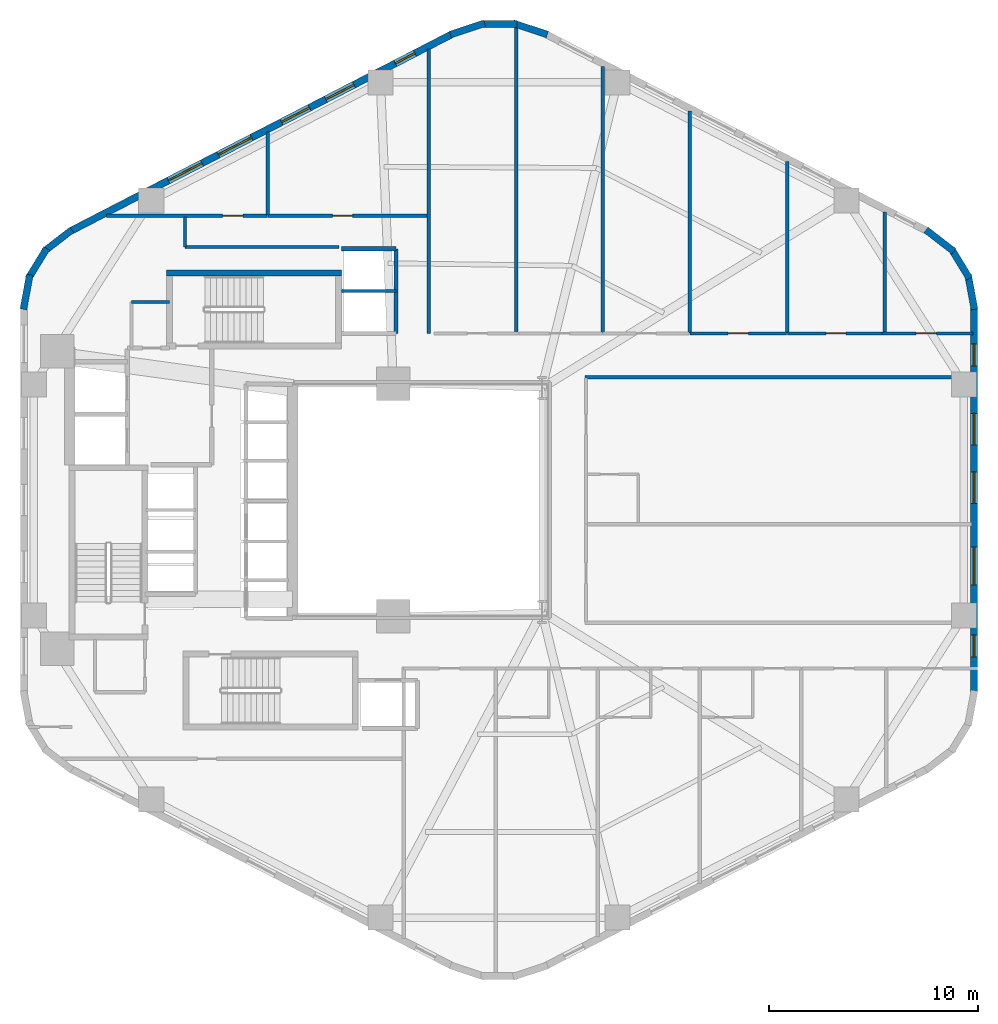
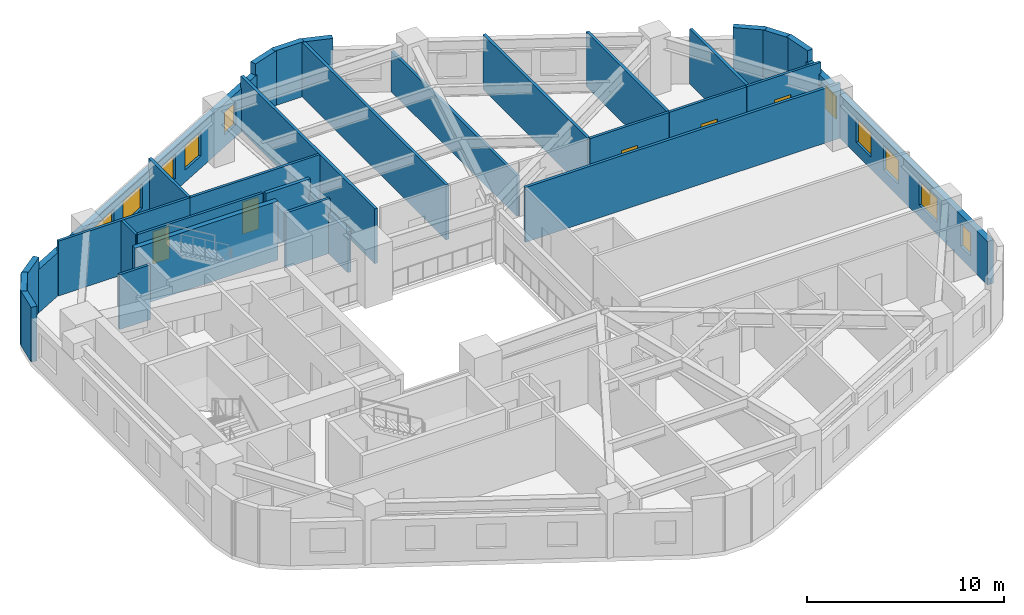
# One storey, part 5 of 7: 31 walls, 10 windows, 5 doors, 15 openings.
"""IFC4 building model written with IfcOpenShell, lengths in metres."""

from ifc_helpers import new_model, si_unit, direction, frame, frame_2d, origin, place, context, subcontext, project, spatial, rectangle, extrude, material, layer, layer_set, type_object, element, fill, save


model = new_model("IFC4")

# Units and contexts
model_context = context("Model", 3, precision=1e-05, world=origin(), true_north=direction((0.0, 1.0)))
body_context = subcontext(model_context, "Body", "Model", "MODEL_VIEW")
ifc_project = project(units=[si_unit("LENGTHUNIT", "METRE"), si_unit("AREAUNIT", "SQUARE_METRE"), si_unit("VOLUMEUNIT", "CUBIC_METRE"), si_unit("PLANEANGLEUNIT", "RADIAN"), si_unit("MASSUNIT", "GRAM", prefix="KILO"), si_unit("THERMODYNAMICTEMPERATUREUNIT", "KELVIN"), si_unit("POWERUNIT", "WATT")], contexts=[model_context])

# Site, building, storey
site_placement = place(None, origin())
site = spatial("IfcSite", under=ifc_project, at=site_placement, CompositionType="ELEMENT")
building_placement = place(site_placement, origin())
building = spatial("IfcBuilding", under=site, at=building_placement, Name="Skarre Station Tower", CompositionType="ELEMENT")
storey_placement = place(building_placement, frame((0.0, 0.0, 74.449951171875)))
storey = spatial("IfcBuildingStorey", under=building, at=storey_placement, Name="L19", CompositionType="ELEMENT", Elevation=74.449951171875)

# Wall
ifc_material_1 = material(Name="Acoustic Steel-Stud Gypsum Partition", Category="steel")
ifc_layer_1 = layer(ifc_material_1, 0.14990234375, Name="Acoustic Steel-Stud Gypsum Partition")
ifc_layer_set_1 = layer_set([ifc_layer_1], Name="Acoustic Steel-Stud Gypsum Partition")
wall_type_1 = type_object("IfcWallType", Name="Fire-Rated Corridor Acoustic Partition 150", PredefinedType="PARTITIONING", material=ifc_layer_set_1)
wall_1_placement = place(storey_placement, frame((21.659912109375, 33.449951171875, 0.0), z_axis=(0.0, 0.0, 1.0), x_axis=(-1.0, 0.0, 0.0)))
element("IfcWall", 1, at=wall_1_placement, inside=storey, type_object=wall_type_1, Name="L19 Interior Partition WL-PT-L19-CNW-N1", PredefinedType="PARTITIONING", context=body_context, shape_type="SweptSolid", body=[
    extrude(rectangle(XDim=1.809814453125, YDim=0.14990234375, at=frame_2d((0.90478515625, 0.0))), origin(), (0.0, 0.0, 1.0), 3.39013671875),
])

# Wall, opening, door
wall_2_placement = place(storey_placement, frame((26.35302734375, 37.580078125, 0.0), z_axis=(0.0, 0.0, 1.0), x_axis=(-1.0, 0.0, 0.0)))
wall_2 = element("IfcWall", 2, at=wall_2_placement, inside=storey, type_object=wall_type_1, Name="L19 Interior Partition WL-PT-L19-NWW1-CW", PredefinedType="PARTITIONING", context=body_context, shape_type="SweptSolid", body=[
    extrude(rectangle(XDim=7.703125, YDim=0.14990234375, at=frame_2d((3.8515625, 0.0))), origin(), (0.0, 0.0, 1.0), 3.39013671875),
])
opening_1_placement = place(wall_2_placement, frame((1.18798828125, 0.0, 0.0)))
opening_1 = element("IfcOpeningElement", 3, at=opening_1_placement, cuts=wall_2, Name="Opening DR-FD60", PredefinedType="OPENING", context=body_context, shape_type="SweptSolid", body=[
    extrude(rectangle(XDim=0.9599609375, YDim=2.0, at=frame_2d((0.47998046875, 1.0))), frame((0.0, 0.0849609375, 0.0), z_axis=(0.0, -1.0, 0.0), x_axis=(1.0, 0.0, 0.0)), (0.0, 0.0, 1.0), 0.169921875),
])
ifc_material_2 = material(Name="Nordic White-Oak Veneer Solid-Core Fire Leaf", Category="wood")
door_type = type_object("IfcDoorType", Name="Corridor Suite Entry Fire Door FD60 960x2150", OperationType="SINGLE_SWING_LEFT", PredefinedType="DOOR", material=ifc_material_2)
door_1_placement = place(opening_1_placement, origin())
door_1 = element("IfcDoor", 4, at=door_1_placement, inside=storey, type_object=door_type, Name="L19 NWW1 Entry Door", OperationType="SINGLE_SWING_LEFT", OverallHeight=2.0, OverallWidth=0.9599609375, PredefinedType="DOOR", context=body_context, shape_type="SweptSolid", body=[
    extrude(rectangle(XDim=0.9599609375, YDim=2.0, at=frame_2d((0.47998046875, 1.0))), frame((0.0, 0.02490234375, 0.0), z_axis=(0.0, -1.0, 0.0), x_axis=(1.0, 0.0, 0.0)), (0.0, 0.0, 1.0), 0.050048828125),
])
fill(opening_1, door_1)

wall_3_placement = place(storey_placement, frame((33.9619140625, 37.580078125, 0.0), z_axis=(0.0, 0.0, 1.0), x_axis=(-1.0, 0.0, 0.0)))
wall_3 = element("IfcWall", 5, at=wall_3_placement, inside=storey, type_object=wall_type_1, Name="L19 Interior Partition WL-PT-L19-NWW2-CW", PredefinedType="PARTITIONING", context=body_context, shape_type="SweptSolid", body=[
    extrude(rectangle(XDim=7.598876953125, YDim=0.14990234375, at=frame_2d((3.79931640625, 0.0))), origin(), (0.0, 0.0, 1.0), 3.39013671875),
])
opening_2_placement = place(wall_3_placement, frame((3.5439453125, 0.0, 0.0)))
opening_2 = element("IfcOpeningElement", 6, at=opening_2_placement, cuts=wall_3, Name="Opening DR-FD60", PredefinedType="OPENING", context=body_context, shape_type="SweptSolid", body=[
    extrude(rectangle(XDim=0.9599609375, YDim=2.0, at=frame_2d((0.47998046875, 1.0))), frame((0.0, 0.0849609375, 0.0), z_axis=(0.0, -1.0, 0.0), x_axis=(1.0, 0.0, 0.0)), (0.0, 0.0, 1.0), 0.169921875),
])
door_2_placement = place(opening_2_placement, origin())
door_2 = element("IfcDoor", 7, at=door_2_placement, inside=storey, type_object=door_type, Name="L19 NWW2 Entry Door", OperationType="SINGLE_SWING_LEFT", OverallHeight=2.0, OverallWidth=0.9599609375, PredefinedType="DOOR", context=body_context, shape_type="SweptSolid", body=[
    extrude(rectangle(XDim=0.9599609375, YDim=2.0, at=frame_2d((0.47998046875, 1.0))), frame((0.0, 0.02490234375, 0.0), z_axis=(0.0, -1.0, 0.0), x_axis=(1.0, 0.0, 0.0)), (0.0, 0.0, 1.0), 0.050048828125),
])
fill(opening_2, door_2)

wall_4_placement = place(storey_placement, frame((51.14697265625, 31.9599609375, 0.0), z_axis=(0.0, 0.0, 1.0), x_axis=(-1.0, 0.0, 0.0)))
wall_4 = element("IfcWall", 8, at=wall_4_placement, inside=storey, type_object=wall_type_1, Name="L19 Interior Partition WL-PT-L19-NW4-CW", PredefinedType="PARTITIONING", context=body_context, shape_type="SweptSolid", body=[
    extrude(rectangle(XDim=4.626953125, YDim=0.14990234375, at=frame_2d((2.3134765625, 0.0))), origin(), (0.0, 0.0, 1.0), 3.39013671875),
])
opening_3_placement = place(wall_4_placement, frame((1.833984375, 0.0, 0.0)))
opening_3 = element("IfcOpeningElement", 9, at=opening_3_placement, cuts=wall_4, Name="Opening DR-FD60", PredefinedType="OPENING", context=body_context, shape_type="SweptSolid", body=[
    extrude(rectangle(XDim=0.9599609375, YDim=2.0, at=frame_2d((0.47998046875, 1.0))), frame((0.0, 0.0849609375, 0.0), z_axis=(0.0, -1.0, 0.0), x_axis=(1.0, 0.0, 0.0)), (0.0, 0.0, 1.0), 0.169921875),
])
door_3_placement = place(opening_3_placement, origin())
door_3 = element("IfcDoor", 10, at=door_3_placement, inside=storey, type_object=door_type, Name="L19 NW4 Entry Door", OperationType="SINGLE_SWING_LEFT", OverallHeight=2.0, OverallWidth=0.9599609375, PredefinedType="DOOR", context=body_context, shape_type="SweptSolid", body=[
    extrude(rectangle(XDim=0.9599609375, YDim=2.0, at=frame_2d((0.47998046875, 1.0))), frame((0.0, 0.02490234375, 0.0), z_axis=(0.0, -1.0, 0.0), x_axis=(1.0, 0.0, 0.0)), (0.0, 0.0, 1.0), 0.050048828125),
])
fill(opening_3, door_3)

wall_5_placement = place(storey_placement, frame((55.69189453125, 31.9599609375, 0.0), z_axis=(0.0, 0.0, 1.0), x_axis=(-1.0, 0.0, 0.0)))
wall_5 = element("IfcWall", 11, at=wall_5_placement, inside=storey, type_object=wall_type_1, Name="L19 Interior Partition WL-PT-L19-NW5-CW", PredefinedType="PARTITIONING", context=body_context, shape_type="SweptSolid", body=[
    extrude(rectangle(XDim=4.512939453125, YDim=0.14990234375, at=frame_2d((2.25634765625, 0.0))), origin(), (0.0, 0.0, 1.0), 3.39013671875),
])
opening_4_placement = place(wall_5_placement, frame((1.719970703125, 0.0, 0.0)))
opening_4 = element("IfcOpeningElement", 12, at=opening_4_placement, cuts=wall_5, Name="Opening DR-FD60", PredefinedType="OPENING", context=body_context, shape_type="SweptSolid", body=[
    extrude(rectangle(XDim=0.9599609375, YDim=2.0, at=frame_2d((0.47998046875, 1.0))), frame((0.0, 0.0849609375, 0.0), z_axis=(0.0, -1.0, 0.0), x_axis=(1.0, 0.0, 0.0)), (0.0, 0.0, 1.0), 0.169921875),
])
door_4_placement = place(opening_4_placement, origin())
door_4 = element("IfcDoor", 13, at=door_4_placement, inside=storey, type_object=door_type, Name="L19 NW5 Entry Door", OperationType="SINGLE_SWING_LEFT", OverallHeight=2.0, OverallWidth=0.9599609375, PredefinedType="DOOR", context=body_context, shape_type="SweptSolid", body=[
    extrude(rectangle(XDim=0.9599609375, YDim=2.0, at=frame_2d((0.47998046875, 1.0))), frame((0.0, 0.02490234375, 0.0), z_axis=(0.0, -1.0, 0.0), x_axis=(1.0, 0.0, 0.0)), (0.0, 0.0, 1.0), 0.050048828125),
])
fill(opening_4, door_4)

wall_6_placement = place(storey_placement, frame((60.031982421875, 31.9599609375, 0.0), z_axis=(0.0, 0.0, 1.0), x_axis=(-1.0, 0.0, 0.0)))
wall_6 = element("IfcWall", 14, at=wall_6_placement, inside=storey, type_object=wall_type_1, Name="L19 Interior Partition WL-PT-L19-NW6-CW", PredefinedType="PARTITIONING", context=body_context, shape_type="SweptSolid", body=[
    extrude(rectangle(XDim=4.330078125, YDim=0.14990234375, at=frame_2d((2.1650390625, 0.0))), origin(), (0.0, 0.0, 1.0), 3.39013671875),
])
opening_5_placement = place(wall_6_placement, frame((1.741943359375, 0.0, 0.0)))
opening_5 = element("IfcOpeningElement", 15, at=opening_5_placement, cuts=wall_6, Name="Opening DR-FD60", PredefinedType="OPENING", context=body_context, shape_type="SweptSolid", body=[
    extrude(rectangle(XDim=0.9599609375, YDim=2.0, at=frame_2d((0.47998046875, 1.0))), frame((0.0, 0.0849609375, 0.0), z_axis=(0.0, -1.0, 0.0), x_axis=(1.0, 0.0, 0.0)), (0.0, 0.0, 1.0), 0.169921875),
])
door_5_placement = place(opening_5_placement, origin())
door_5 = element("IfcDoor", 16, at=door_5_placement, inside=storey, type_object=door_type, Name="L19 NW6 Entry Door", OperationType="SINGLE_SWING_LEFT", OverallHeight=2.0, OverallWidth=0.9599609375, PredefinedType="DOOR", context=body_context, shape_type="SweptSolid", body=[
    extrude(rectangle(XDim=0.9599609375, YDim=2.0, at=frame_2d((0.47998046875, 1.0))), frame((0.0, 0.02490234375, 0.0), z_axis=(0.0, -1.0, 0.0), x_axis=(1.0, 0.0, 0.0)), (0.0, 0.0, 1.0), 0.050048828125),
])
fill(opening_5, door_5)

# Walls
wall_7_placement = place(storey_placement, frame((29.7529296875, 36.080078125, 0.0), z_axis=(0.0, 0.0, 1.0), x_axis=(-1.0, 0.0, 0.0)))
element("IfcWall", 17, at=wall_7_placement, inside=storey, type_object=wall_type_1, Name="L19 Interior Partition WL-PT-L19-CSEAL-1", PredefinedType="PARTITIONING", context=body_context, shape_type="SweptSolid", body=[
    extrude(rectangle(XDim=7.35302734375, YDim=0.14990234375, at=frame_2d((3.676513671875, 0.0))), origin(), (0.0, 0.0, 1.0), 3.39013671875),
])
wall_8_placement = place(storey_placement, frame((22.39990234375, 36.080078125, 0.0), z_axis=(0.0, 0.0, 1.0), x_axis=(0.0, 1.0, 0.0)))
element("IfcWall", 18, at=wall_8_placement, inside=storey, type_object=wall_type_1, Name="L19 Interior Partition WL-PT-L19-CSEAL-2", PredefinedType="PARTITIONING", context=body_context, shape_type="SweptSolid", body=[
    extrude(rectangle(XDim=1.429931640625, YDim=0.14990234375, at=frame_2d((0.71484375, 0.0))), origin(), (0.0, 0.0, 1.0), 3.39013671875),
])

# Wall, openings, windows
ifc_material_3 = material(Name="Precast concrete C45/55", Category="concrete")
ifc_layer_2 = layer(ifc_material_3, 0.340087890625, Name="Precast concrete C45/55")
ifc_layer_set_2 = layer_set([ifc_layer_2], Name="Precast concrete C45/55")
wall_type_2 = type_object("IfcWallType", Name="Nordic Honed Precast Facet Wall 340", PredefinedType="STANDARD", material=ifc_layer_set_2)
wall_9_placement = place(storey_placement, frame((16.924072265625, 36.841064453125, 0.0), z_axis=(0.0, 0.0, 1.0), x_axis=(0.888634413993, 0.458616264721, 0.0)))
wall_9 = element("IfcWall", 19, at=wall_9_placement, inside=storey, type_object=wall_type_2, Name="L19 Facet 1 Nordic Precast Masonry Wall", PredefinedType="STANDARD", context=body_context, shape_type="SweptSolid", body=[
    extrude(rectangle(XDim=20.53125, YDim=0.340087890625, at=frame_2d((10.265625, 0.0))), origin(), (0.0, 0.0, 1.0), 2.68408203125),
])
opening_6_placement = place(wall_9_placement, frame((5.282958984375, 0.0, 0.75)))
opening_6 = element("IfcOpeningElement", 20, at=opening_6_placement, cuts=wall_9, Name="Opening WN-Z1A", PredefinedType="OPENING", context=body_context, shape_type="SweptSolid", body=[
    extrude(rectangle(XDim=1.800048828125, YDim=1.5, at=frame_2d((0.89990234375, 0.75))), frame((0.0, 0.179931640625, 0.0), z_axis=(0.0, -1.0, 0.0), x_axis=(1.0, 0.0, 0.0)), (0.0, 0.0, 1.0), 0.360107421875),
])
opening_7_placement = place(wall_9_placement, frame((7.9560546875, 0.0, 0.75)))
opening_7 = element("IfcOpeningElement", 21, at=opening_7_placement, cuts=wall_9, Name="Opening WN-Z1A", PredefinedType="OPENING", context=body_context, shape_type="SweptSolid", body=[
    extrude(rectangle(XDim=1.800048828125, YDim=1.5, at=frame_2d((0.89990234375, 0.75))), frame((0.0, 0.179931640625, 0.0), z_axis=(0.0, -1.0, 0.0), x_axis=(1.0, 0.0, 0.0)), (0.0, 0.0, 1.0), 0.360107421875),
])
opening_8_placement = place(wall_9_placement, frame((11.35888671875, 0.0, 0.75)))
opening_8 = element("IfcOpeningElement", 22, at=opening_8_placement, cuts=wall_9, Name="Opening WN-Z1B", PredefinedType="OPENING", context=body_context, shape_type="SweptSolid", body=[
    extrude(rectangle(XDim=1.5, YDim=1.5, at=frame_2d((0.75, 0.75))), frame((0.0, 0.179931640625, 0.0), z_axis=(0.0, -1.0, 0.0), x_axis=(1.0, 0.0, 0.0)), (0.0, 0.0, 1.0), 0.360107421875),
])
opening_9_placement = place(wall_9_placement, frame((13.742919921875, 0.0, 0.75)))
opening_9 = element("IfcOpeningElement", 23, at=opening_9_placement, cuts=wall_9, Name="Opening WN-Z1B", PredefinedType="OPENING", context=body_context, shape_type="SweptSolid", body=[
    extrude(rectangle(XDim=1.5, YDim=1.5, at=frame_2d((0.75, 0.75))), frame((0.0, 0.179931640625, 0.0), z_axis=(0.0, -1.0, 0.0), x_axis=(1.0, 0.0, 0.0)), (0.0, 0.0, 1.0), 0.360107421875),
])
opening_10_placement = place(wall_9_placement, frame((17.47607421875, 0.0, 0.75)))
opening_10 = element("IfcOpeningElement", 24, at=opening_10_placement, cuts=wall_9, Name="Opening WN-SLT", PredefinedType="OPENING", context=body_context, shape_type="SweptSolid", body=[
    extrude(rectangle(XDim=1.050048828125, YDim=1.39990234375, at=frame_2d((0.52490234375, 0.699951171875))), frame((0.0, 0.179931640625, 0.0), z_axis=(0.0, -1.0, 0.0), x_axis=(1.0, 0.0, 0.0)), (0.0, 0.0, 1.0), 0.360107421875),
])
ifc_material_4 = material(Name="Low-Iron Triple Glazing with Bronze Anodized Frame", Category="glass")
window_type_1 = type_object("IfcWindowType", Name="Nordic Corner Slot Window 1050x1400", PartitioningType="SINGLE_PANEL", PredefinedType="WINDOW", material=ifc_material_4)
window_1_placement = place(opening_10_placement, origin())
window_1 = element("IfcWindow", 25, at=window_1_placement, inside=storey, type_object=window_type_1, Name="L19 Facade Window WL-FAC-L19-F1-5", OverallHeight=1.39990234375, OverallWidth=1.050048828125, PartitioningType="SINGLE_PANEL", PredefinedType="WINDOW", context=body_context, shape_type="SweptSolid", body=[
    extrude(rectangle(XDim=1.050048828125, YDim=1.39990234375, at=frame_2d((0.52490234375, 0.699951171875))), frame((0.0, 0.030029296875, 0.0), z_axis=(0.0, -1.0, 0.0), x_axis=(1.0, 0.0, 0.0)), (0.0, 0.0, 1.0), 0.06005859375),
])
fill(opening_10, window_1)
window_type_2 = type_object("IfcWindowType", Name="Nordic Punched Triple-Glazed Window 1500x1500", PartitioningType="SINGLE_PANEL", PredefinedType="WINDOW", material=ifc_material_4)
window_2_placement = place(opening_8_placement, origin())
window_2 = element("IfcWindow", 26, at=window_2_placement, inside=storey, type_object=window_type_2, Name="L19 Facade Window WL-FAC-L19-F1-3", OverallHeight=1.5, OverallWidth=1.5, PartitioningType="SINGLE_PANEL", PredefinedType="WINDOW", context=body_context, shape_type="SweptSolid", body=[
    extrude(rectangle(XDim=1.5, YDim=1.5, at=frame_2d((0.75, 0.75))), frame((0.0, 0.030029296875, 0.0), z_axis=(0.0, -1.0, 0.0), x_axis=(1.0, 0.0, 0.0)), (0.0, 0.0, 1.0), 0.06005859375),
])
fill(opening_8, window_2)
window_3_placement = place(opening_9_placement, origin())
window_3 = element("IfcWindow", 27, at=window_3_placement, inside=storey, type_object=window_type_2, Name="L19 Facade Window WL-FAC-L19-F1-4", OverallHeight=1.5, OverallWidth=1.5, PartitioningType="SINGLE_PANEL", PredefinedType="WINDOW", context=body_context, shape_type="SweptSolid", body=[
    extrude(rectangle(XDim=1.5, YDim=1.5, at=frame_2d((0.75, 0.75))), frame((0.0, 0.030029296875, 0.0), z_axis=(0.0, -1.0, 0.0), x_axis=(1.0, 0.0, 0.0)), (0.0, 0.0, 1.0), 0.06005859375),
])
fill(opening_9, window_3)
window_type_3 = type_object("IfcWindowType", Name="Nordic Punched Triple-Glazed Window 1800x1500", PartitioningType="SINGLE_PANEL", PredefinedType="WINDOW", material=ifc_material_4)
window_4_placement = place(opening_6_placement, origin())
window_4 = element("IfcWindow", 28, at=window_4_placement, inside=storey, type_object=window_type_3, Name="L19 Facade Window WL-FAC-L19-F1-1", OverallHeight=1.5, OverallWidth=1.800048828125, PartitioningType="SINGLE_PANEL", PredefinedType="WINDOW", context=body_context, shape_type="SweptSolid", body=[
    extrude(rectangle(XDim=1.800048828125, YDim=1.5, at=frame_2d((0.89990234375, 0.75))), frame((0.0, 0.030029296875, 0.0), z_axis=(0.0, -1.0, 0.0), x_axis=(1.0, 0.0, 0.0)), (0.0, 0.0, 1.0), 0.06005859375),
])
fill(opening_6, window_4)
window_5_placement = place(opening_7_placement, origin())
window_5 = element("IfcWindow", 29, at=window_5_placement, inside=storey, type_object=window_type_3, Name="L19 Facade Window WL-FAC-L19-F1-2", OverallHeight=1.5, OverallWidth=1.800048828125, PartitioningType="SINGLE_PANEL", PredefinedType="WINDOW", context=body_context, shape_type="SweptSolid", body=[
    extrude(rectangle(XDim=1.800048828125, YDim=1.5, at=frame_2d((0.89990234375, 0.75))), frame((0.0, 0.030029296875, 0.0), z_axis=(0.0, -1.0, 0.0), x_axis=(1.0, 0.0, 0.0)), (0.0, 0.0, 1.0), 0.06005859375),
])
fill(opening_7, window_5)

wall_10_placement = place(storey_placement, frame((60.093017578125, 33.201904296875, 0.0), z_axis=(0.0, 0.0, 1.0), x_axis=(0.0, -1.0, 0.0)))
wall_10 = element("IfcWall", 30, at=wall_10_placement, inside=storey, type_object=wall_type_2, Name="L19 Facet 5 Nordic Precast Masonry Wall", PredefinedType="STANDARD", context=body_context, shape_type="SweptSolid", body=[
    extrude(rectangle(XDim=18.40380859375, YDim=0.340087890625, at=frame_2d((9.201904296875, 0.0))), origin(), (0.0, 0.0, 1.0), 2.68408203125),
])
opening_11_placement = place(wall_10_placement, frame((1.743896484375, 0.0, 0.75)))
opening_11 = element("IfcOpeningElement", 31, at=opening_11_placement, cuts=wall_10, Name="Opening WN-SLT", PredefinedType="OPENING", context=body_context, shape_type="SweptSolid", body=[
    extrude(rectangle(XDim=1.050048828125, YDim=1.39990234375, at=frame_2d((0.52490234375, 0.699951171875))), frame((0.0, 0.179931640625, 0.0), z_axis=(0.0, -1.0, 0.0), x_axis=(1.0, 0.0, 0.0)), (0.0, 0.0, 1.0), 0.360107421875),
])
opening_12_placement = place(wall_10_placement, frame((5.06689453125, 0.0, 0.75)))
opening_12 = element("IfcOpeningElement", 32, at=opening_12_placement, cuts=wall_10, Name="Opening WN-Z1B", PredefinedType="OPENING", context=body_context, shape_type="SweptSolid", body=[
    extrude(rectangle(XDim=1.5, YDim=1.5, at=frame_2d((0.75, 0.75))), frame((0.0, 0.179931640625, 0.0), z_axis=(0.0, -1.0, 0.0), x_axis=(1.0, 0.0, 0.0)), (0.0, 0.0, 1.0), 0.360107421875),
])
opening_13_placement = place(wall_10_placement, frame((7.85791015625, 0.0, 0.75)))
opening_13 = element("IfcOpeningElement", 33, at=opening_13_placement, cuts=wall_10, Name="Opening WN-Z1B", PredefinedType="OPENING", context=body_context, shape_type="SweptSolid", body=[
    extrude(rectangle(XDim=1.5, YDim=1.5, at=frame_2d((0.75, 0.75))), frame((0.0, 0.179931640625, 0.0), z_axis=(0.0, -1.0, 0.0), x_axis=(1.0, 0.0, 0.0)), (0.0, 0.0, 1.0), 0.360107421875),
])
opening_14_placement = place(wall_10_placement, frame((11.4560546875, 0.0, 0.75)))
opening_14 = element("IfcOpeningElement", 34, at=opening_14_placement, cuts=wall_10, Name="Opening WN-Z1A", PredefinedType="OPENING", context=body_context, shape_type="SweptSolid", body=[
    extrude(rectangle(XDim=1.800048828125, YDim=1.5, at=frame_2d((0.89990234375, 0.75))), frame((0.0, 0.179931640625, 0.0), z_axis=(0.0, -1.0, 0.0), x_axis=(1.0, 0.0, 0.0)), (0.0, 0.0, 1.0), 0.360107421875),
])
opening_15_placement = place(wall_10_placement, frame((15.64990234375, 0.0, 0.75)))
opening_15 = element("IfcOpeningElement", 35, at=opening_15_placement, cuts=wall_10, Name="Opening WN-SLT", PredefinedType="OPENING", context=body_context, shape_type="SweptSolid", body=[
    extrude(rectangle(XDim=1.050048828125, YDim=1.39990234375, at=frame_2d((0.52490234375, 0.699951171875))), frame((0.0, 0.179931640625, 0.0), z_axis=(0.0, -1.0, 0.0), x_axis=(1.0, 0.0, 0.0)), (0.0, 0.0, 1.0), 0.360107421875),
])
window_6_placement = place(opening_11_placement, origin())
window_6 = element("IfcWindow", 36, at=window_6_placement, inside=storey, type_object=window_type_1, Name="L19 Facade Window WL-FAC-L19-F5-1", OverallHeight=1.39990234375, OverallWidth=1.050048828125, PartitioningType="SINGLE_PANEL", PredefinedType="WINDOW", context=body_context, shape_type="SweptSolid", body=[
    extrude(rectangle(XDim=1.050048828125, YDim=1.39990234375, at=frame_2d((0.52490234375, 0.699951171875))), frame((0.0, 0.030029296875, 0.0), z_axis=(0.0, -1.0, 0.0), x_axis=(1.0, 0.0, 0.0)), (0.0, 0.0, 1.0), 0.06005859375),
])
fill(opening_11, window_6)
window_7_placement = place(opening_15_placement, origin())
window_7 = element("IfcWindow", 37, at=window_7_placement, inside=storey, type_object=window_type_1, Name="L19 Facade Window WL-FAC-L19-F5-5", OverallHeight=1.39990234375, OverallWidth=1.050048828125, PartitioningType="SINGLE_PANEL", PredefinedType="WINDOW", context=body_context, shape_type="SweptSolid", body=[
    extrude(rectangle(XDim=1.050048828125, YDim=1.39990234375, at=frame_2d((0.52490234375, 0.699951171875))), frame((0.0, 0.030029296875, 0.0), z_axis=(0.0, -1.0, 0.0), x_axis=(1.0, 0.0, 0.0)), (0.0, 0.0, 1.0), 0.06005859375),
])
fill(opening_15, window_7)
window_8_placement = place(opening_12_placement, origin())
window_8 = element("IfcWindow", 38, at=window_8_placement, inside=storey, type_object=window_type_2, Name="L19 Facade Window WL-FAC-L19-F5-2", OverallHeight=1.5, OverallWidth=1.5, PartitioningType="SINGLE_PANEL", PredefinedType="WINDOW", context=body_context, shape_type="SweptSolid", body=[
    extrude(rectangle(XDim=1.5, YDim=1.5, at=frame_2d((0.75, 0.75))), frame((0.0, 0.030029296875, 0.0), z_axis=(0.0, -1.0, 0.0), x_axis=(1.0, 0.0, 0.0)), (0.0, 0.0, 1.0), 0.06005859375),
])
fill(opening_12, window_8)
window_9_placement = place(opening_13_placement, origin())
window_9 = element("IfcWindow", 39, at=window_9_placement, inside=storey, type_object=window_type_2, Name="L19 Facade Window WL-FAC-L19-F5-3", OverallHeight=1.5, OverallWidth=1.5, PartitioningType="SINGLE_PANEL", PredefinedType="WINDOW", context=body_context, shape_type="SweptSolid", body=[
    extrude(rectangle(XDim=1.5, YDim=1.5, at=frame_2d((0.75, 0.75))), frame((0.0, 0.030029296875, 0.0), z_axis=(0.0, -1.0, 0.0), x_axis=(1.0, 0.0, 0.0)), (0.0, 0.0, 1.0), 0.06005859375),
])
fill(opening_13, window_9)
window_10_placement = place(opening_14_placement, origin())
window_10 = element("IfcWindow", 40, at=window_10_placement, inside=storey, type_object=window_type_3, Name="L19 Facade Window WL-FAC-L19-F5-4", OverallHeight=1.5, OverallWidth=1.800048828125, PartitioningType="SINGLE_PANEL", PredefinedType="WINDOW", context=body_context, shape_type="SweptSolid", body=[
    extrude(rectangle(XDim=1.800048828125, YDim=1.5, at=frame_2d((0.89990234375, 0.75))), frame((0.0, 0.030029296875, 0.0), z_axis=(0.0, -1.0, 0.0), x_axis=(1.0, 0.0, 0.0)), (0.0, 0.0, 1.0), 0.06005859375),
])
fill(opening_14, window_10)

# Walls
ifc_layer_3 = layer(ifc_material_3, 0.330078125, Name="Precast concrete C45/55")
ifc_layer_set_3 = layer_set([ifc_layer_3], Name="Precast concrete C45/55")
wall_type_3 = type_object("IfcWallType", Name="Nordic Rounded Corner Precast Wall 330", PredefinedType="STANDARD", material=ifc_layer_set_3)
wall_11_placement = place(storey_placement, frame((57.802001953125, 36.90087890625, 0.0), z_axis=(0.0, 0.0, 1.0), x_axis=(0.790691856293, -0.61221433207, 0.0)))
element("IfcWall", 41, at=wall_11_placement, inside=storey, type_object=wall_type_3, Name="L19 Rounded Corner Precast Wall F0-1", PredefinedType="STANDARD", context=body_context, shape_type="SweptSolid", body=[
    extrude(rectangle(XDim=1.67578125, YDim=0.330078125, at=frame_2d((0.837890625, 0.0))), origin(), (0.0, 0.0, 1.0), 3.39013671875),
])
wall_12_placement = place(storey_placement, frame((59.001953125, 36.014892578125, 0.0), z_axis=(0.0, 0.0, 1.0), x_axis=(0.520584129191, -0.853810379671, 0.0)))
element("IfcWall", 42, at=wall_12_placement, inside=storey, type_object=wall_type_3, Name="L19 Rounded Corner Precast Wall F0-2", PredefinedType="STANDARD", context=body_context, shape_type="SweptSolid", body=[
    extrude(rectangle(XDim=1.677001953125, YDim=0.330078125, at=frame_2d((0.83837890625, 0.0))), origin(), (0.0, 0.0, 1.0), 3.39013671875),
])
wall_13_placement = place(storey_placement, frame((59.80810546875, 34.758056640625, 0.0), z_axis=(0.0, 0.0, 1.0), x_axis=(0.181714143354, -0.983351397063, 0.0)))
element("IfcWall", 43, at=wall_13_placement, inside=storey, type_object=wall_type_3, Name="L19 Rounded Corner Precast Wall F0-3", PredefinedType="STANDARD", context=body_context, shape_type="SweptSolid", body=[
    extrude(rectangle(XDim=1.677978515625, YDim=0.330078125, at=frame_2d((0.8388671875, 0.0))), origin(), (0.0, 0.0, 1.0), 3.39013671875),
])
wall_14_placement = place(storey_placement, frame((35.0810546875, 46.23095703125, 0.0), z_axis=(0.0, 0.0, 1.0), x_axis=(0.94976901097, 0.312951794691, 0.0)))
element("IfcWall", 44, at=wall_14_placement, inside=storey, type_object=wall_type_3, Name="L19 Rounded Corner Precast Wall F1-1", PredefinedType="STANDARD", context=body_context, shape_type="SweptSolid", body=[
    extrude(rectangle(XDim=1.722412109375, YDim=0.330078125, at=frame_2d((0.861328125, 0.0))), origin(), (0.0, 0.0, 1.0), 3.39013671875),
])
wall_15_placement = place(storey_placement, frame((36.5390625, 46.740966796875, 0.0), z_axis=(0.0, 0.0, 1.0), x_axis=(1.0, 0.0, 0.0)))
element("IfcWall", 45, at=wall_15_placement, inside=storey, type_object=wall_type_3, Name="L19 Rounded Corner Precast Wall F1-2", PredefinedType="STANDARD", context=body_context, shape_type="SweptSolid", body=[
    extrude(rectangle(XDim=1.721923828125, YDim=0.330078125, at=frame_2d((0.86083984375, 0.0))), origin(), (0.0, 0.0, 1.0), 3.39013671875),
])
wall_16_placement = place(storey_placement, frame((38.0830078125, 46.77001953125, 0.0), z_axis=(0.0, 0.0, 1.0), x_axis=(0.94976901097, -0.312951794691, 0.0)))
element("IfcWall", 46, at=wall_16_placement, inside=storey, type_object=wall_type_3, Name="L19 Rounded Corner Precast Wall F1-3", PredefinedType="STANDARD", context=body_context, shape_type="SweptSolid", body=[
    extrude(rectangle(XDim=1.722412109375, YDim=0.330078125, at=frame_2d((0.861328125, 0.0))), origin(), (0.0, 0.0, 1.0), 3.39013671875),
])
wall_17_placement = place(storey_placement, frame((14.68701171875, 33.10791015625, 0.0), z_axis=(0.0, 0.0, 1.0), x_axis=(0.181714143354, 0.983351397063, 0.0)))
element("IfcWall", 47, at=wall_17_placement, inside=storey, type_object=wall_type_3, Name="L19 Rounded Corner Precast Wall F2-1", PredefinedType="STANDARD", context=body_context, shape_type="SweptSolid", body=[
    extrude(rectangle(XDim=1.677978515625, YDim=0.330078125, at=frame_2d((0.8388671875, 0.0))), origin(), (0.0, 0.0, 1.0), 3.39013671875),
])
wall_18_placement = place(storey_placement, frame((14.925048828125, 34.5830078125, 0.0), z_axis=(0.0, 0.0, 1.0), x_axis=(0.520584129191, 0.853810379671, 0.0)))
element("IfcWall", 48, at=wall_18_placement, inside=storey, type_object=wall_type_3, Name="L19 Rounded Corner Precast Wall F2-2", PredefinedType="STANDARD", context=body_context, shape_type="SweptSolid", body=[
    extrude(rectangle(XDim=1.677001953125, YDim=0.330078125, at=frame_2d((0.83837890625, 0.0))), origin(), (0.0, 0.0, 1.0), 3.39013671875),
])
wall_19_placement = place(storey_placement, frame((15.673095703125, 35.875, 0.0), z_axis=(0.0, 0.0, 1.0), x_axis=(0.790691856293, 0.61221433207, 0.0)))
element("IfcWall", 49, at=wall_19_placement, inside=storey, type_object=wall_type_3, Name="L19 Rounded Corner Precast Wall F2-3", PredefinedType="STANDARD", context=body_context, shape_type="SweptSolid", body=[
    extrude(rectangle(XDim=1.67578125, YDim=0.330078125, at=frame_2d((0.837890625, 0.0))), origin(), (0.0, 0.0, 1.0), 3.39013671875),
])
ifc_material_5 = material(Name="Concrete C50/60", Category="concrete")
ifc_layer_4 = layer(ifc_material_5, 0.280029296875, Name="Concrete C50/60")
ifc_layer_set_4 = layer_set([ifc_layer_4], Name="Concrete C50/60")
wall_type_4 = type_object("IfcWallType", Name="RC Core Shear Wall 280", PredefinedType="SHEAR", material=ifc_layer_set_4)
wall_20_placement = place(storey_placement, frame((29.8798828125, 34.840087890625, 0.0), z_axis=(0.0, 0.0, 1.0), x_axis=(-1.0, 0.0, 0.0)))
element("IfcWall", 50, at=wall_20_placement, inside=storey, type_object=wall_type_4, Name="L19 Stair ST-3 North Shear Wall", PredefinedType="SHEAR", context=body_context, shape_type="SweptSolid", body=[
    extrude(rectangle(XDim=8.35986328125, YDim=0.280029296875, at=frame_2d((4.179931640625, 0.0))), origin(), (0.0, 0.0, 1.0), 3.650146484375),
])
ifc_material_6 = material(Name="Gypsum Concrete Shaft Assembly C30/37", Category="concrete")
ifc_layer_5 = layer(ifc_material_6, 0.199951171875, Name="Gypsum Concrete Shaft Assembly C30/37")
ifc_layer_set_5 = layer_set([ifc_layer_5], Name="Gypsum Concrete Shaft Assembly C30/37")
wall_type_5 = type_object("IfcWallType", Name="Shaft & Core Fire Partition 200", PredefinedType="PARTITIONING", material=ifc_layer_set_5)
wall_21_placement = place(storey_placement, frame((32.47998046875, 31.949951171875, 0.0), z_axis=(0.0, 0.0, 1.0), x_axis=(0.0, 1.0, 0.0)))
element("IfcWall", 51, at=wall_21_placement, inside=storey, type_object=wall_type_5, Name="L19 Interior Partition WL-PT-L19-EX-E", PredefinedType="PARTITIONING", context=body_context, shape_type="SweptSolid", body=[
    extrude(rectangle(XDim=4.050048828125, YDim=0.199951171875, at=frame_2d((2.02490234375, 0.0))), origin(), (0.0, 0.0, 1.0), 2.512939453125),
])
wall_22_placement = place(storey_placement, frame((29.8798828125, 36.0, 0.0), z_axis=(0.0, 0.0, 1.0), x_axis=(1.0, 0.0, 0.0)))
element("IfcWall", 52, at=wall_22_placement, inside=storey, type_object=wall_type_5, Name="L19 Interior Partition WL-PT-L19-EX-N", PredefinedType="PARTITIONING", context=body_context, shape_type="SweptSolid", body=[
    extrude(rectangle(XDim=2.60009765625, YDim=0.199951171875, at=frame_2d((1.300048828125, 0.0))), origin(), (0.0, 0.0, 1.0), 3.39013671875),
])
wall_23_placement = place(storey_placement, frame((29.875, 33.97998046875, 0.0), z_axis=(0.0, 0.0, 1.0), x_axis=(1.0, 0.0, 0.0)))
element("IfcWall", 53, at=wall_23_placement, inside=storey, type_object=wall_type_5, Name="L19 Interior Partition WL-PT-L19-EX-DIV", PredefinedType="PARTITIONING", context=body_context, shape_type="SweptSolid", body=[
    extrude(rectangle(XDim=2.60498046875, YDim=0.159912109375, at=frame_2d((1.302490234375, 0.0))), origin(), (0.0, 0.0, 1.0), 3.39013671875),
])
ifc_layer_6 = layer(ifc_material_1, 0.1650390625, Name="Acoustic Steel-Stud Gypsum Partition")
ifc_layer_set_6 = layer_set([ifc_layer_6], Name="Acoustic Steel-Stud Gypsum Partition")
wall_type_6 = type_object("IfcWallType", Name="Suite Demising Acoustic Partition 165", PredefinedType="PARTITIONING", material=ifc_layer_set_6)
wall_24_placement = place(storey_placement, frame((26.35791015625, 37.610107421875, 0.0), z_axis=(0.0, 0.0, 1.0), x_axis=(0.0, 1.0, 0.0)))
element("IfcWall", 54, at=wall_24_placement, inside=storey, type_object=wall_type_6, Name="L19 Interior Partition WL-PT-L19-NWW-P1", PredefinedType="PARTITIONING", context=body_context, shape_type="SweptSolid", body=[
    extrude(rectangle(XDim=3.96484375, YDim=0.1650390625, at=frame_2d((1.982421875, 0.0))), origin(), (0.0, 0.0, 1.0), 3.39013671875),
])
wall_25_placement = place(storey_placement, frame((34.0400390625, 31.9599609375, 0.0), z_axis=(0.0, 0.0, 1.0), x_axis=(0.0, 1.0, 0.0)))
element("IfcWall", 55, at=wall_25_placement, inside=storey, type_object=wall_type_6, Name="L19 Interior Partition WL-PT-L19-NW-WBND", PredefinedType="PARTITIONING", context=body_context, shape_type="SweptSolid", body=[
    extrude(rectangle(XDim=13.5791015625, YDim=0.1650390625, at=frame_2d((6.78955078125, 0.0))), origin(), (0.0, 0.0, 1.0), 3.39013671875),
])
wall_26_placement = place(storey_placement, frame((38.220947265625, 31.969970703125, 0.0), z_axis=(0.0, 0.0, 1.0), x_axis=(0.0, 1.0, 0.0)))
element("IfcWall", 56, at=wall_26_placement, inside=storey, type_object=wall_type_6, Name="L19 Interior Partition WL-PT-L19-NW-P1", PredefinedType="PARTITIONING", context=body_context, shape_type="SweptSolid", body=[
    extrude(rectangle(XDim=14.6220703125, YDim=0.1650390625, at=frame_2d((7.31103515625, 0.0))), origin(), (0.0, 0.0, 1.0), 3.39013671875),
])
wall_27_placement = place(storey_placement, frame((42.363037109375, 31.969970703125, 0.0), z_axis=(0.0, 0.0, 1.0), x_axis=(0.0, 1.0, 0.0)))
element("IfcWall", 57, at=wall_27_placement, inside=storey, type_object=wall_type_6, Name="L19 Interior Partition WL-PT-L19-NW-P2", PredefinedType="PARTITIONING", context=body_context, shape_type="SweptSolid", body=[
    extrude(rectangle(XDim=12.741943359375, YDim=0.1650390625, at=frame_2d((6.37109375, 0.0))), origin(), (0.0, 0.0, 1.0), 2.512939453125),
])
wall_28_placement = place(storey_placement, frame((46.50390625, 31.969970703125, 0.0), z_axis=(0.0, 0.0, 1.0), x_axis=(0.0, 1.0, 0.0)))
element("IfcWall", 58, at=wall_28_placement, inside=storey, type_object=wall_type_6, Name="L19 Interior Partition WL-PT-L19-NW-P3", PredefinedType="PARTITIONING", context=body_context, shape_type="SweptSolid", body=[
    extrude(rectangle(XDim=10.60498046875, YDim=0.1650390625, at=frame_2d((5.302490234375, 0.0))), origin(), (0.0, 0.0, 1.0), 3.39013671875),
])
wall_29_placement = place(storey_placement, frame((51.1630859375, 31.969970703125, 0.0), z_axis=(0.0, 0.0, 1.0), x_axis=(0.0, 1.0, 0.0)))
element("IfcWall", 59, at=wall_29_placement, inside=storey, type_object=wall_type_6, Name="L19 Interior Partition WL-PT-L19-NW-P4", PredefinedType="PARTITIONING", context=body_context, shape_type="SweptSolid", body=[
    extrude(rectangle(XDim=8.199951171875, YDim=0.1650390625, at=frame_2d((4.10009765625, 0.0))), origin(), (0.0, 0.0, 1.0), 3.39013671875),
])
wall_30_placement = place(storey_placement, frame((55.822021484375, 31.969970703125, 0.0), z_axis=(0.0, 0.0, 1.0), x_axis=(0.0, 1.0, 0.0)))
element("IfcWall", 60, at=wall_30_placement, inside=storey, type_object=wall_type_6, Name="L19 Interior Partition WL-PT-L19-NW-P5", PredefinedType="PARTITIONING", context=body_context, shape_type="SweptSolid", body=[
    extrude(rectangle(XDim=5.796142578125, YDim=0.1650390625, at=frame_2d((2.89794921875, 0.0))), origin(), (0.0, 0.0, 1.0), 3.39013671875),
])
wall_31_placement = place(storey_placement, frame((41.52001953125, 29.860107421875, 0.0), z_axis=(0.0, 0.0, 1.0), x_axis=(1.0, 0.0, 0.0)))
element("IfcWall", 61, at=wall_31_placement, inside=storey, type_object=wall_type_6, Name="L19 Interior Partition WL-PT-L19-EWB-N", PredefinedType="PARTITIONING", context=body_context, shape_type="SweptSolid", body=[
    extrude(rectangle(XDim=18.452880859375, YDim=0.1650390625, at=frame_2d((9.2265625, 0.0))), origin(), (0.0, 0.0, 1.0), 3.39013671875),
])

save(model, "model.ifc")
